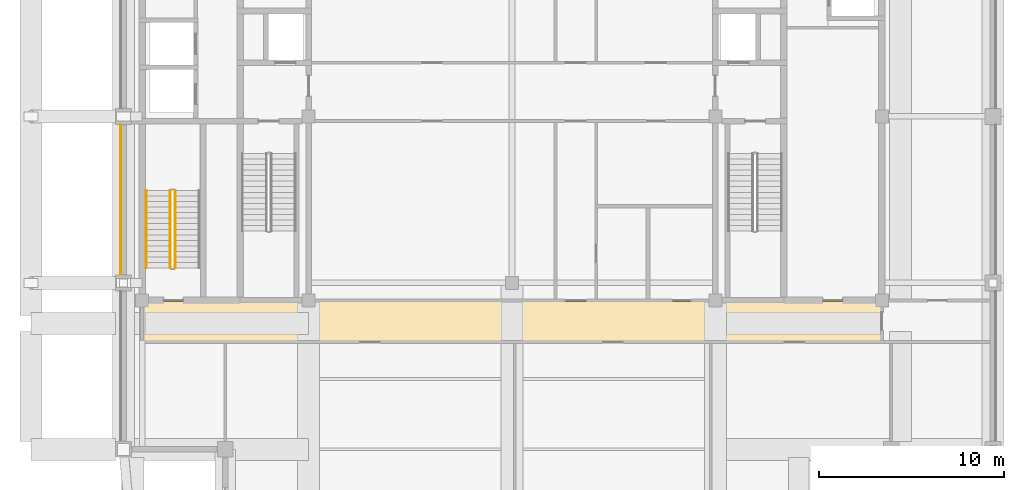
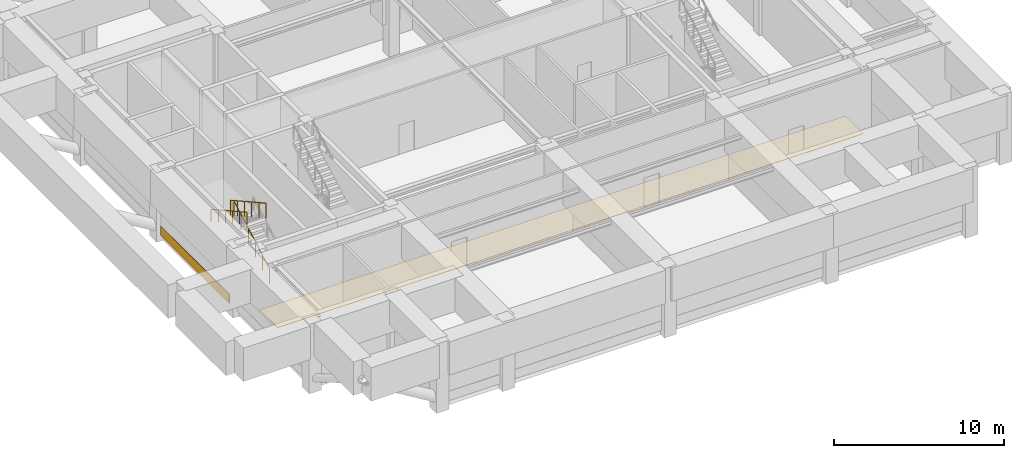
# One storey, part 7 of 11: 3 railings, 2 coverings.
"""IFC4 building model written with IfcOpenShell, lengths in metres."""

from ifc_helpers import new_model, si_unit, direction, frame, frame_2d, origin, origin_2d, place, context, subcontext, project, spatial, polyline, rectangle, outline, extrude, material, layer, layer_set, type_object, element, save


model = new_model("IFC4")

# Units and contexts
model_context = context("Model", 3, precision=1e-05, world=origin(), true_north=direction((0.0, 1.0)))
body_context = subcontext(model_context, "Body", "Model", "MODEL_VIEW")
ifc_project = project(units=[si_unit("LENGTHUNIT", "METRE"), si_unit("AREAUNIT", "SQUARE_METRE"), si_unit("VOLUMEUNIT", "CUBIC_METRE"), si_unit("PLANEANGLEUNIT", "RADIAN"), si_unit("MASSUNIT", "GRAM", prefix="KILO")], contexts=[model_context])

# Site, building, storey
site_placement = place(None, origin())
site = spatial("IfcSite", under=ifc_project, at=site_placement, CompositionType="ELEMENT")
building_placement = place(site_placement, origin())
building = spatial("IfcBuilding", under=site, at=building_placement, Name="Zulmaris Gate Convention Tower", CompositionType="ELEMENT")
storey_placement = place(building_placement, frame((0.0, 0.0, 249.429931640625)))
storey = spatial("IfcBuildingStorey", under=building, at=storey_placement, Name="L66", CompositionType="ELEMENT", Elevation=249.429931640625)

# Coverings
ifc_material_1 = material(Name="Precast concrete C40/50", Category="concrete")
ifc_layer_1 = layer(ifc_material_1, 0.0400390625, Name="Precast concrete C40/50")
ifc_layer_set_1 = layer_set([ifc_layer_1], Name="Precast concrete C40/50")
covering_type_1 = type_object("IfcCoveringType", Name="CLAD-SPANDREL-PRECAST", PredefinedType="CLADDING", material=ifc_layer_set_1)
covering_1_placement = place(storey_placement, frame((-21.14990234375, -0.455078125, 0.0), z_axis=(0.0, 0.0, 1.0), x_axis=(0.0, -1.0, 0.0)))
element("IfcCovering", 1, at=covering_1_placement, inside=storey, type_object=covering_type_1, Name="CLD-L66-W-1_0", PredefinedType="CLADDING", context=body_context, shape_type="SweptSolid", body=[
    extrude(rectangle(XDim=8.08984375, YDim=0.0400390625, at=frame_2d((4.044921875, 0.0))), origin(), (0.0, 0.0, 1.0), 0.679931640625),
])
ifc_material_2 = material(Name="Woven Acoustic Wool Carpet Tile")
ifc_layer_2 = layer(ifc_material_2, 0.02001953125, Name="Woven Acoustic Wool Carpet Tile")
ifc_layer_set_2 = layer_set([ifc_layer_2], Name="Woven Acoustic Wool Carpet Tile")
covering_type_2 = type_object("IfcCoveringType", Name="FLR-CARPET-12", PredefinedType="FLOORING", material=ifc_layer_set_2)
covering_2_placement = place(storey_placement, origin())
element("IfcCovering", 2, at=covering_2_placement, inside=storey, type_object=covering_type_2, Name="FLR-L66-R24", PredefinedType="FLOORING", context=body_context, shape_type="SweptSolid", body=[
    extrude(outline(polyline([(-19.93994140625, -12.139892578125), (19.93994140625, -12.139892578125), (19.93994140625, -10.010009765625), (-19.93994140625, -10.010009765625), (-19.93994140625, -12.139892578125)])), origin(), (0.0, 0.0, 1.0), 0.02001953125),
])

# Railings
ifc_material_3 = material(Name="Painted Galvanised Steel", Category="steel")
railing_type_1 = type_object("IfcRailingType", Name="RL-STG-1150", PredefinedType="GUARDRAIL", material=ifc_material_3)
railing_1_placement = place(storey_placement, frame((-18.2099609375, -8.199951171875, 0.166748046875)))
element("IfcRailing", 3, at=railing_1_placement, inside=storey, type_object=railing_type_1, Name="L66 ST-3 stair guard 1", PredefinedType="GUARDRAIL", context=body_context, shape_type="SweptSolid", body=[
    extrude(rectangle(XDim=0.048095703125, YDim=0.048095703125, at=origin_2d()), frame((0.0, 0.0, 1.076171875), z_axis=(0.0, 0.874162069901, 0.485634302275), x_axis=(-1.0, 0.0, 0.0)), (0.0, 0.0, 1.0), 4.804443359375),
    extrude(rectangle(XDim=0.0419921875, YDim=0.0419921875, at=origin_2d()), origin(), (0.0, 0.0, 1.0), 1.052001953125),
    extrude(rectangle(XDim=0.0419921875, YDim=0.0419921875, at=origin_2d()), frame((0.0, 0.840087890625, 0.466552734375)), (0.0, 0.0, 1.0), 1.052001953125),
    extrude(rectangle(XDim=0.0419921875, YDim=0.0419921875, at=origin_2d()), frame((0.0, 1.679931640625, 0.933349609375)), (0.0, 0.0, 1.0), 1.052001953125),
    extrude(rectangle(XDim=0.0419921875, YDim=0.0419921875, at=origin_2d()), frame((0.0, 2.52001953125, 1.39990234375)), (0.0, 0.0, 1.0), 1.052001953125),
    extrude(rectangle(XDim=0.0419921875, YDim=0.0419921875, at=origin_2d()), frame((0.0, 3.35986328125, 1.86669921875)), (0.0, 0.0, 1.0), 1.052001953125),
    extrude(rectangle(XDim=0.0419921875, YDim=0.0419921875, at=origin_2d()), frame((0.0, 4.199951171875, 2.333251953125)), (0.0, 0.0, 1.0), 1.052001953125),
])
railing_2_placement = place(storey_placement, frame((-18.469970703125, -4.0, 2.666748046875)))
element("IfcRailing", 4, at=railing_2_placement, inside=storey, type_object=railing_type_1, Name="L66 ST-3 stair guard 3", PredefinedType="GUARDRAIL", context=body_context, shape_type="SweptSolid", body=[
    extrude(rectangle(XDim=0.048095703125, YDim=0.048095703125, at=origin_2d()), frame((0.0, 0.0, 1.076171875), z_axis=(0.0, -0.874162069901, 0.485634302275), x_axis=(1.0, 0.0, 0.0)), (0.0, 0.0, 1.0), 4.804443359375),
    extrude(rectangle(XDim=0.0419921875, YDim=0.0419921875, at=origin_2d()), origin(), (0.0, 0.0, 1.0), 1.052001953125),
    extrude(rectangle(XDim=0.0419921875, YDim=0.0419921875, at=origin_2d()), frame((0.0, -0.840087890625, 0.466552734375)), (0.0, 0.0, 1.0), 1.052001953125),
    extrude(rectangle(XDim=0.0419921875, YDim=0.0419921875, at=origin_2d()), frame((0.0, -1.679931640625, 0.933349609375)), (0.0, 0.0, 1.0), 1.052001953125),
    extrude(rectangle(XDim=0.0419921875, YDim=0.0419921875, at=origin_2d()), frame((0.0, -2.52001953125, 1.39990234375)), (0.0, 0.0, 1.0), 1.052001953125),
    extrude(rectangle(XDim=0.0419921875, YDim=0.0419921875, at=origin_2d()), frame((0.0, -3.35986328125, 1.86669921875)), (0.0, 0.0, 1.0), 1.052001953125),
    extrude(rectangle(XDim=0.0419921875, YDim=0.0419921875, at=origin_2d()), frame((0.0, -4.199951171875, 2.333251953125)), (0.0, 0.0, 1.0), 1.052001953125),
])
ifc_material_4 = material(Name="Brushed Stainless Steel", Category="steel")
railing_type_2 = type_object("IfcRailingType", Name="RL-STH-900", PredefinedType="HANDRAIL", material=ifc_material_4)
railing_3_placement = place(storey_placement, frame((-19.77001953125, -4.0, 2.666748046875)))
element("IfcRailing", 5, at=railing_3_placement, inside=storey, type_object=railing_type_2, Name="L66 ST-3 stair handrail 2", PredefinedType="HANDRAIL", context=body_context, shape_type="SweptSolid", body=[
    extrude(rectangle(XDim=0.048095703125, YDim=0.048095703125, at=origin_2d()), frame((0.0, 0.0, 0.8759765625), z_axis=(0.0, -0.874162069901, 0.485634302275), x_axis=(1.0, 0.0, 0.0)), (0.0, 0.0, 1.0), 4.804443359375),
    extrude(rectangle(XDim=0.0419921875, YDim=0.0419921875, at=origin_2d()), origin(), (0.0, 0.0, 1.0), 0.851806640625),
    extrude(rectangle(XDim=0.0419921875, YDim=0.0419921875, at=origin_2d()), frame((0.0, -0.840087890625, 0.466552734375)), (0.0, 0.0, 1.0), 0.851806640625),
    extrude(rectangle(XDim=0.0419921875, YDim=0.0419921875, at=origin_2d()), frame((0.0, -1.679931640625, 0.933349609375)), (0.0, 0.0, 1.0), 0.851806640625),
    extrude(rectangle(XDim=0.0419921875, YDim=0.0419921875, at=origin_2d()), frame((0.0, -2.52001953125, 1.39990234375)), (0.0, 0.0, 1.0), 0.851806640625),
    extrude(rectangle(XDim=0.0419921875, YDim=0.0419921875, at=origin_2d()), frame((0.0, -3.35986328125, 1.86669921875)), (0.0, 0.0, 1.0), 0.851806640625),
    extrude(rectangle(XDim=0.0419921875, YDim=0.0419921875, at=origin_2d()), frame((0.0, -4.199951171875, 2.333251953125)), (0.0, 0.0, 1.0), 0.851806640625),
])

save(model, "model.ifc")
